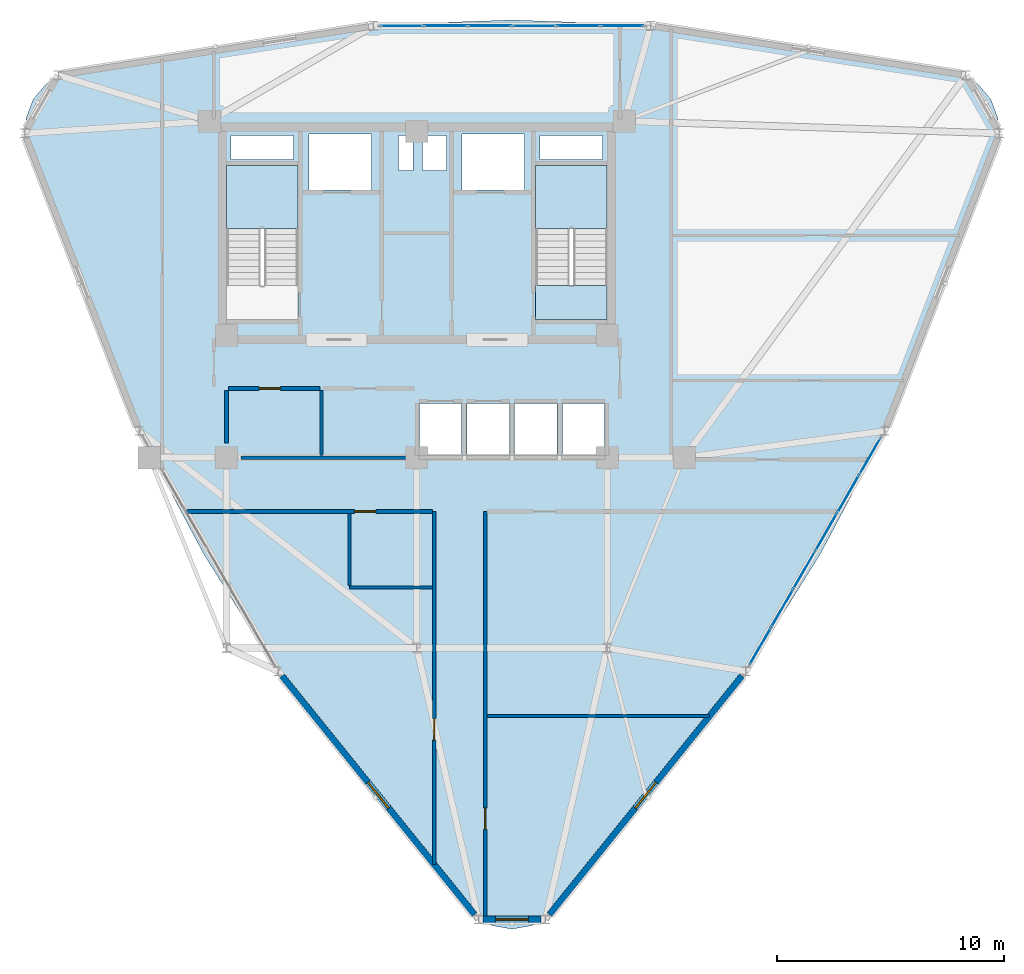
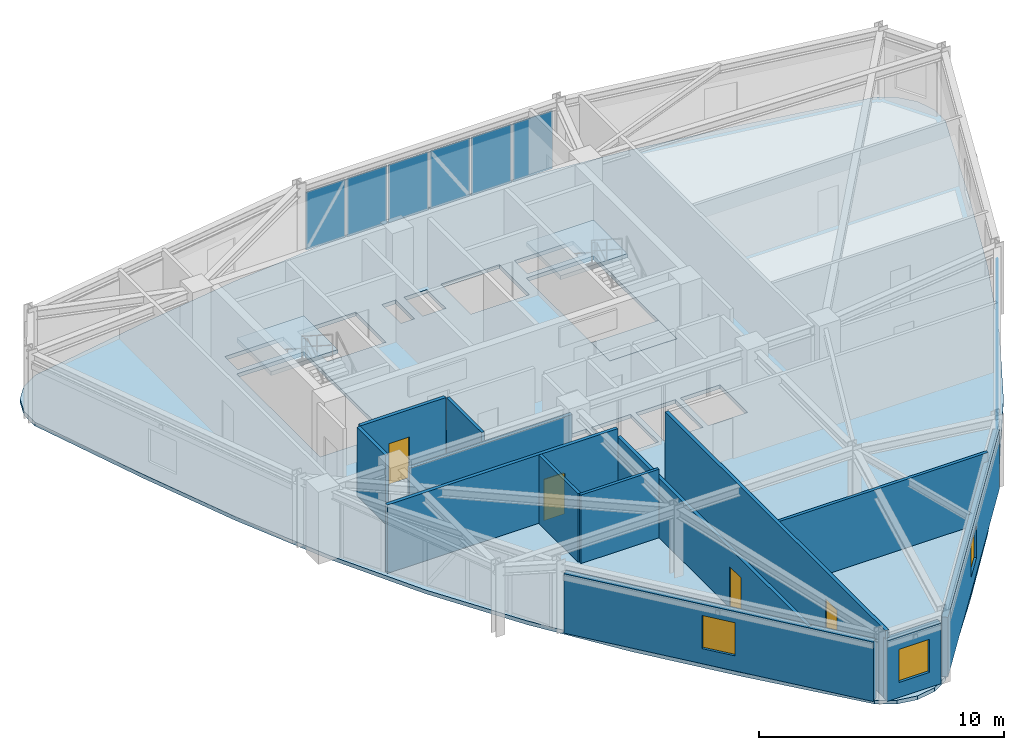
# One storey, part 12 of 16: 13 walls, 12 plates, 4 doors, 4 slabs, 3 windows, 7 openings, 4 elements without a shape of their own.
"""IFC4 building model written with IfcOpenShell, lengths in metres."""

import ifcopenshell
import ifcopenshell.guid

model = None  # the IFC model being written
_history = None  # IfcOwnerHistory: only IFC2X3 demands one
_inside = {}  # id of a spatial element -> (the spatial element, [elements in it])
_under = {}  # id of a project, library or spatial element -> (it, [spatial elements below it])
_declared = {}  # id of a project -> (the project, [libraries it declares])
_typed = {}  # id of a type object -> (the type object, [elements of that type])
_made_of = {}  # id of a material, layer set ... -> (it, [elements and type objects made of it])


def new_model(schema):
    """Start an empty IFC model of exactly this schema.

    Asked for "IFC4X3", IfcOpenShell would pick the latest addendum, in which some entities
    have other attributes; the version numbers below select the first issue.
    IFC2X3 requires an IfcOwnerHistory on every rooted entity: one is made here for all.
    """
    global model, _history
    if schema == "IFC4X3":
        model = ifcopenshell.file(schema_version=(4, 3, 0, 0))
    else:
        model = ifcopenshell.file(schema=schema)
    _inside.clear()
    _under.clear()
    _declared.clear()
    _typed.clear()
    _made_of.clear()
    _history = None
    if model.schema == "IFC2X3":
        org = make("IfcOrganization", Name="unknown")
        user = make(
            "IfcPersonAndOrganization",
            ThePerson=make("IfcPerson", FamilyName="unknown"),
            TheOrganization=org,
        )
        app = make(
            "IfcApplication",
            ApplicationDeveloper=org,
            Version="unknown",
            ApplicationFullName="unknown",
            ApplicationIdentifier="unknown",
        )
        _history = make(
            "IfcOwnerHistory",
            OwningUser=user,
            OwningApplication=app,
            ChangeAction="ADDED",
            CreationDate=0,
        )
    return model


def make(cls, **values):
    """One entity of the class cls with the attributes given. An attribute that is None is left unset."""
    return model.create_entity(
        cls, **{name: value for name, value in values.items() if value is not None}
    )


def rooted(cls, **values):
    """An entity with a GlobalId (a new one), such as an element, a storey or a relation."""
    return make(cls, GlobalId=ifcopenshell.guid.new(), OwnerHistory=_history, **values)


def si_unit(unit_type, name, prefix=None):
    """IfcSIUnit, for example si_unit("LENGTHUNIT", "METRE", prefix="MILLI")."""
    return make("IfcSIUnit", UnitType=unit_type, Prefix=prefix, Name=name)


def derived_unit(unit_type, elements):
    """IfcDerivedUnit: a product of units, each with its exponent."""
    return make(
        "IfcDerivedUnit",
        Elements=[
            make("IfcDerivedUnitElement", Unit=unit, Exponent=power)
            for unit, power in elements
        ],
        UnitType=unit_type,
    )


def assignment(units):
    """IfcUnitAssignment: the units of a project."""
    return None if units is None else make("IfcUnitAssignment", Units=units)


def point(xyz):
    """IfcCartesianPoint."""
    return None if xyz is None else make("IfcCartesianPoint", Coordinates=xyz)


def direction(xyz):
    """IfcDirection."""
    return None if xyz is None else make("IfcDirection", DirectionRatios=xyz)


def frame(location, z_axis=None, x_axis=None):
    """IfcAxis2Placement3D, a coordinate frame: its origin and axes. An axis left out is left unset."""
    return make(
        "IfcAxis2Placement3D",
        Location=point(location),
        Axis=direction(z_axis),
        RefDirection=direction(x_axis),
    )


def frame_2d(location, x_axis=None):
    """IfcAxis2Placement2D, a coordinate frame in the plane: its origin and x axis."""
    return make(
        "IfcAxis2Placement2D", Location=point(location), RefDirection=direction(x_axis)
    )


def origin():
    """The frame at (0, 0, 0) with its axes left unset."""
    return frame((0.0, 0.0, 0.0))


def origin_2d():
    """The frame at (0, 0) in the plane with its x axis left unset."""
    return frame_2d((0.0, 0.0))


def place(relative_to, where):
    """IfcLocalPlacement: puts the frame where relative to a parent placement (None: the world)."""
    return make(
        "IfcLocalPlacement", PlacementRelTo=relative_to, RelativePlacement=where
    )


def context(
    kind, dimensions, precision=None, world=None, true_north=None, identifier=None
):
    """IfcGeometricRepresentationContext, for example the 3D "Model" context."""
    return make(
        "IfcGeometricRepresentationContext",
        ContextIdentifier=identifier,
        ContextType=kind,
        CoordinateSpaceDimension=dimensions,
        Precision=precision,
        WorldCoordinateSystem=world,
        TrueNorth=true_north,
    )


def subcontext(parent, identifier, kind, view, scale=None):
    """IfcGeometricRepresentationSubContext, for example "Body" below "Model"."""
    return make(
        "IfcGeometricRepresentationSubContext",
        ContextIdentifier=identifier,
        ContextType=kind,
        ParentContext=parent,
        TargetScale=scale,
        TargetView=view,
    )


def project(units=None, contexts=None):
    """IfcProject with its units and contexts."""
    return rooted(
        "IfcProject",
        Name="project",
        RepresentationContexts=contexts,
        UnitsInContext=assignment(units),
    )


def spatial(cls, under=None, at=None, **own):
    """A site, building, storey or space (cls), placed at a placement, below another one or the project."""
    s = rooted(cls, ObjectPlacement=at, **own)
    if under is not None:
        _under.setdefault(under.id(), (under, []))[1].append(s)
    return s


def polyline(points):
    """IfcPolyline through the points."""
    return make("IfcPolyline", Points=[point(p) for p in points])


def profile(cls, at=None, kind="AREA", **sizes):
    """A parametric profile (cls). Its sizes go by their IFC names, for example OverallWidth=200.0."""
    return make(cls, ProfileType=kind, Position=at, **sizes)


def rectangle(**sizes):
    """IfcRectangleProfileDef."""
    return profile("IfcRectangleProfileDef", **sizes)


def outline(outer, holes=None, kind="AREA"):
    """IfcArbitraryClosedProfileDef: a profile drawn as a closed curve; with holes, ...WithVoids."""
    if holes is None:
        return make("IfcArbitraryClosedProfileDef", ProfileType=kind, OuterCurve=outer)
    return make(
        "IfcArbitraryProfileDefWithVoids",
        ProfileType=kind,
        OuterCurve=outer,
        InnerCurves=holes,
    )


def extrude(swept, where, along, depth):
    """IfcExtrudedAreaSolid: the profile swept, set in the frame where, extruded along a direction by depth."""
    return make(
        "IfcExtrudedAreaSolid",
        SweptArea=swept,
        Position=where,
        ExtrudedDirection=direction(along),
        Depth=depth,
    )


def shape(context_of_items, identifier, shape_type, items):
    """IfcShapeRepresentation: the items that make up one representation, for example the "Body"."""
    return make(
        "IfcShapeRepresentation",
        ContextOfItems=context_of_items,
        RepresentationIdentifier=identifier,
        RepresentationType=shape_type,
        Items=items,
    )


def source(mapping_origin, context_of_items, identifier, shape_type, items):
    """IfcRepresentationMap: a shape defined once, which mapped items show again and again."""
    return make(
        "IfcRepresentationMap",
        MappingOrigin=mapping_origin,
        MappedRepresentation=shape(context_of_items, identifier, shape_type, items),
    )


def transform(
    local_origin,
    x_axis=None,
    y_axis=None,
    z_axis=None,
    scale=None,
    scale2=None,
    scale3=None,
    uniform=True,
):
    """IfcCartesianTransformationOperator3D, or its non-uniform kind. x_axis, y_axis, z_axis: its Axis1, 2, 3."""
    if uniform:
        return make(
            "IfcCartesianTransformationOperator3D",
            Axis1=direction(x_axis),
            Axis2=direction(y_axis),
            LocalOrigin=point(local_origin),
            Scale=scale,
            Axis3=direction(z_axis),
        )
    return make(
        "IfcCartesianTransformationOperator3DnonUniform",
        Axis1=direction(x_axis),
        Axis2=direction(y_axis),
        LocalOrigin=point(local_origin),
        Scale=scale,
        Axis3=direction(z_axis),
        Scale2=scale2,
        Scale3=scale3,
    )


def mapped(mapping_source, mapping_target):
    """IfcMappedItem: shows the shape of a source again, moved by a transform."""
    return make(
        "IfcMappedItem", MappingSource=mapping_source, MappingTarget=mapping_target
    )


def material(Name=None, Category=None):
    """IfcMaterial."""
    return make("IfcMaterial", Name=Name, Category=Category)


def layer(
    of_material, thickness, ventilated=None, Name=None, Category=None, Priority=None
):
    """IfcMaterialLayer: one layer of a wall or slab, of a material (None: an air gap)."""
    return make(
        "IfcMaterialLayer",
        Material=of_material,
        LayerThickness=thickness,
        IsVentilated=ventilated,
        Name=Name,
        Category=Category,
        Priority=Priority,
    )


def layer_set(layers, Name=None):
    """IfcMaterialLayerSet."""
    return make("IfcMaterialLayerSet", MaterialLayers=layers, LayerSetName=Name)


def made_of(thing, what):
    """Note that an element or type object is made of a material, layer set ...; save() writes the relation."""
    if what is not None:
        _made_of.setdefault(what.id(), (what, []))[1].append(thing)
    return thing


def type_object(cls, material=None, **own):
    """A type object (cls), such as IfcWallType, which elements share."""
    return made_of(rooted(cls, **own), material)


def element(
    cls,
    number,
    at=None,
    inside=None,
    cuts=None,
    type_object=None,
    material=None,
    context=None,
    identifier="Body",
    shape_type=None,
    held_by="IfcProductDefinitionShape",
    body=None,
    shapes=None,
    **own,
):
    """One element of the class cls, such as IfcWall. Its Tag is "e" and its number.

    at: its placement. inside: the storey or other place that contains it. cuts: it is an
    opening in that element (IfcRelVoidsElement). A single representation is given by context,
    identifier, shape_type and body (its items); several are given by shapes. held_by: the class
    of the entity that holds the representations. save() writes the other relations.
    """
    e = rooted(cls, Tag="e%d" % number, ObjectPlacement=at, **own)
    if body is not None:
        shapes = [shape(context, identifier, shape_type, body)]
    if shapes is not None:
        e.Representation = make(held_by, Representations=shapes)
    if inside is not None:
        _inside.setdefault(inside.id(), (inside, []))[1].append(e)
    if cuts is not None:
        rooted(
            "IfcRelVoidsElement", RelatingBuildingElement=cuts, RelatedOpeningElement=e
        )
    if type_object is not None:
        _typed.setdefault(type_object.id(), (type_object, []))[1].append(e)
    return made_of(e, material)


def fill(opening, filler):
    """IfcRelFillsElement: the door or window that sits in an opening."""
    return rooted(
        "IfcRelFillsElement",
        RelatingOpeningElement=opening,
        RelatedBuildingElement=filler,
    )


def aggregate(whole, parts):
    """IfcRelAggregates: a whole, such as a stair, and the parts it consists of."""
    return rooted("IfcRelAggregates", RelatingObject=whole, RelatedObjects=parts)


def save(model, path):
    """Write the relations noted so far, then the file.

    IfcRelAggregates (storeys below a building ...), IfcRelContainedInSpatialStructure (elements
    in a storey), IfcRelDefinesByType, IfcRelAssociatesMaterial and IfcRelDeclares: one each for
    every whole, place, type object, material and project.
    """
    for whole, parts in _under.values():
        aggregate(whole, parts)
    for where, things in _inside.values():
        rooted(
            "IfcRelContainedInSpatialStructure",
            RelatedElements=things,
            RelatingStructure=where,
        )
    for kind, things in _typed.values():
        rooted("IfcRelDefinesByType", RelatedObjects=things, RelatingType=kind)
    for what, things in _made_of.values():
        rooted("IfcRelAssociatesMaterial", RelatedObjects=things, RelatingMaterial=what)
    for by, libraries in _declared.values():
        rooted("IfcRelDeclares", RelatingContext=by, RelatedDefinitions=libraries)
    model.write(path)


model = new_model("IFC4")

# Units and contexts
model_context = context("Model", 3, precision=1e-05, world=origin(), true_north=direction((0.0, 1.0)))
body_context = subcontext(model_context, "Body", "Model", "MODEL_VIEW")
ifc_project = project(units=[si_unit("LENGTHUNIT", "METRE"), si_unit("AREAUNIT", "SQUARE_METRE"), si_unit("VOLUMEUNIT", "CUBIC_METRE"), si_unit("PLANEANGLEUNIT", "RADIAN"), si_unit("MASSUNIT", "GRAM", prefix="KILO"), derived_unit("THERMALTRANSMITTANCEUNIT", [(si_unit("POWERUNIT", "WATT"), 1), (si_unit("LENGTHUNIT", "METRE"), -2), (si_unit("THERMODYNAMICTEMPERATUREUNIT", "KELVIN"), -1)])], contexts=[model_context])

# Site, building, storey
site_placement = place(None, origin())
site = spatial("IfcSite", under=ifc_project, at=site_placement, CompositionType="ELEMENT")
building_placement = place(site_placement, origin())
building = spatial("IfcBuilding", under=site, at=building_placement, Name="Korsvarv Bourse and Concert Hall", CompositionType="ELEMENT")
storey_placement = place(building_placement, frame((0.0, 0.0, 216.60009765625)))
storey = spatial("IfcBuildingStorey", under=building, at=storey_placement, Name="L56", CompositionType="ELEMENT", Elevation=216.60009765625)

# Slab
ifc_material_1 = material(Name="Precast concrete C45/55", Category="concrete")
ifc_layer_1 = layer(ifc_material_1, 0.199951171875)
ifc_layer_set_1 = layer_set([ifc_layer_1], Name="Precast concrete C45/55")
slab_type_1 = type_object("IfcSlabType", Name="SLB-FLND-T", PredefinedType="LANDING", material=ifc_layer_set_1)
slab_1_placement = place(storey_placement, frame((0.0, 0.0, -0.2001953125)))
element("IfcSlab", 1, at=slab_1_placement, inside=storey, type_object=slab_type_1, Name="L56 Stair ST-T2 Floor Landing Slab", PredefinedType="LANDING", context=body_context, shape_type="SweptSolid", body=[
    extrude(outline(polyline([(44.39990234375, 38.5), (44.39990234375, 40.0), (41.239990234375, 40.0), (41.239990234375, 38.5), (44.39990234375, 38.5)])), origin(), (0.0, 0.0, 1.0), 0.2001953125),
])

# Stair, slab
stair_type = type_object("IfcStairType", Name="STR-TYPE-04", PredefinedType="HALF_TURN_STAIR", material=ifc_material_1)
stair_1_placement = place(storey_placement, origin())
stair_1 = element("IfcStair", 2, at=stair_1_placement, inside=storey, type_object=stair_type, Name="L56 Tower West Exit Stair ST-T1", PredefinedType="HALF_TURN_STAIR")
ifc_layer_2 = layer(ifc_material_1, 0.199951171875)
ifc_layer_set_2 = layer_set([ifc_layer_2], Name="Precast concrete C45/55")
slab_type_2 = type_object("IfcSlabType", Name="SLB-ST-LND", PredefinedType="LANDING", material=ifc_layer_set_2)
slab_2_placement = place(storey_placement, frame((0.0, 0.0, 1.599853515625)))
slab_2 = element("IfcSlab", 3, at=slab_2_placement, type_object=slab_type_2, Name="ST-T1 landing 1", PredefinedType="LANDING", context=body_context, shape_type="SweptSolid", body=[
    extrude(outline(polyline([(30.760009765625, 42.52001953125), (30.760009765625, 45.300048828125), (27.60009765625, 45.300048828125), (27.60009765625, 42.52001953125), (30.760009765625, 42.52001953125)])), origin(), (0.0, 0.0, 1.0), 0.199951171875),
])
aggregate(stair_1, [slab_2])

stair_2_placement = place(storey_placement, origin())
stair_2 = element("IfcStair", 4, at=stair_2_placement, inside=storey, type_object=stair_type, Name="L56 Tower East Exit Stair ST-T2", PredefinedType="HALF_TURN_STAIR")
slab_3_placement = place(storey_placement, frame((0.0, 0.0, 1.599853515625)))
slab_3 = element("IfcSlab", 5, at=slab_3_placement, type_object=slab_type_2, Name="ST-T2 landing 1", PredefinedType="LANDING", context=body_context, shape_type="SweptSolid", body=[
    extrude(outline(polyline([(44.39990234375, 42.52001953125), (44.39990234375, 45.300048828125), (41.239990234375, 45.300048828125), (41.239990234375, 42.52001953125), (44.39990234375, 42.52001953125)])), origin(), (0.0, 0.0, 1.0), 0.199951171875),
])
aggregate(stair_2, [slab_3])

# Slab
ifc_material_2 = material(Name="Concrete C45/55", Category="concrete")
ifc_layer_3 = layer(ifc_material_2, 0.18994140625)
ifc_layer_set_3 = layer_set([ifc_layer_3], Name="Concrete C45/55")
slab_type_3 = type_object("IfcSlabType", Name="SLB-TW3", PredefinedType="FLOOR", material=ifc_layer_set_3)
slab_4_placement = place(storey_placement, frame((0.0, 0.0, -0.190185546875)))
element("IfcSlab", 6, at=slab_4_placement, inside=storey, type_object=slab_type_3, Name="L56 tower structural floor slab", PredefinedType="FLOOR", context=body_context, shape_type="SweptSolid", body=[
    extrude(outline(polyline([(61.281982421875, 45.464111328125), (59.653564453125, 40.964111328125), (57.922119140625, 36.548095703125), (55.994384765625, 32.265380859375), (53.80615234375, 28.14453125), (51.33154296875, 24.188720703125), (48.58642578125, 20.3779296875), (45.627685546875, 16.670654296875), (42.544677734375, 13.010498046875), (42.543701171875, 13.009033203125), (41.865478515625, 12.200927734375), (41.086181640625, 11.7509765625), (40.199951171875, 11.5947265625), (39.313720703125, 11.7509765625), (38.534423828125, 12.200927734375), (37.856201171875, 13.009033203125), (37.855224609375, 13.010498046875), (34.772216796875, 16.670654296875), (31.813720703125, 20.3779296875), (29.068603515625, 24.188720703125), (26.593994140625, 28.14453125), (24.405517578125, 32.265380859375), (22.477783203125, 36.548095703125), (20.74658203125, 40.964111328125), (19.1181640625, 45.464111328125), (19.117431640625, 45.4658203125), (18.756591796875, 46.457275390625), (18.756591796875, 47.35693359375), (19.064453125, 48.20263671875), (19.642822265625, 48.89208984375), (20.422119140625, 49.341796875), (21.461181640625, 49.525146484375), (21.462646484375, 49.525390625), (26.17431640625, 50.365234375), (30.8642578125, 51.073974609375), (35.537109375, 51.545654296875), (40.199951171875, 51.7109375), (44.863037109375, 51.545654296875), (49.535888671875, 51.073974609375), (54.2255859375, 50.365234375), (58.937255859375, 49.525390625), (58.93896484375, 49.525146484375), (59.977783203125, 49.341796875), (60.757080078125, 48.89208984375), (61.33544921875, 48.20263671875), (61.643310546875, 47.35693359375), (61.643310546875, 46.457275390625), (61.282470703125, 45.4658203125), (61.281982421875, 45.464111328125)]), holes=[polyline([(30.760009765625, 38.5), (30.760009765625, 45.300048828125), (27.60009765625, 45.300048828125), (27.60009765625, 38.5), (30.760009765625, 38.5)]), polyline([(44.39990234375, 38.5), (44.39990234375, 45.300048828125), (41.239990234375, 45.300048828125), (41.239990234375, 38.5), (44.39990234375, 38.5)]), polyline([(31.239990234375, 44.219970703125), (34.0, 44.219970703125), (34.0, 46.679931640625), (31.239990234375, 46.679931640625), (31.239990234375, 44.219970703125)]), polyline([(38.0, 44.219970703125), (40.760009765625, 44.219970703125), (40.760009765625, 46.679931640625), (38.0, 46.679931640625), (38.0, 44.219970703125)]), polyline([(36.1201171875, 32.52001953125), (37.97998046875, 32.52001953125), (37.97998046875, 34.780029296875), (36.1201171875, 34.780029296875), (36.1201171875, 32.52001953125)]), polyline([(38.219970703125, 32.52001953125), (40.080078125, 32.52001953125), (40.080078125, 34.780029296875), (38.219970703125, 34.780029296875), (38.219970703125, 32.52001953125)]), polyline([(40.320068359375, 32.52001953125), (42.179931640625, 32.52001953125), (42.179931640625, 34.780029296875), (40.320068359375, 34.780029296875), (40.320068359375, 32.52001953125)]), polyline([(42.419921875, 32.52001953125), (44.280029296875, 32.52001953125), (44.280029296875, 34.780029296875), (42.419921875, 34.780029296875), (42.419921875, 32.52001953125)]), polyline([(27.800048828125, 45.56005859375), (30.56005859375, 45.56005859375), (30.56005859375, 46.6201171875), (27.800048828125, 46.6201171875), (27.800048828125, 45.56005859375)]), polyline([(41.43994140625, 45.56005859375), (44.199951171875, 45.56005859375), (44.199951171875, 46.6201171875), (41.43994140625, 46.6201171875), (41.43994140625, 45.56005859375)]), polyline([(35.199951171875, 45.080078125), (35.840087890625, 45.080078125), (35.840087890625, 46.6201171875), (35.199951171875, 46.6201171875), (35.199951171875, 45.080078125)]), polyline([(36.239990234375, 45.080078125), (37.320068359375, 45.080078125), (37.320068359375, 46.6201171875), (36.239990234375, 46.6201171875), (36.239990234375, 45.080078125)])]), origin(), (0.0, 0.0, 1.0), 0.190185546875),
])

# Curtain wall, plates
ifc_material_3 = material(Name="Anodised aluminium and triple low-E glazing", Category="glass")
ifc_layer_4 = layer(ifc_material_3, 0.199951171875)
ifc_layer_set_4 = layer_set([ifc_layer_4], Name="Anodised aluminium and triple low-E glazing")
curtain_wall_type = type_object("IfcCurtainWallType", Name="CW-SYS-3", PredefinedType="NOTDEFINED", material=ifc_layer_set_4)
curtain_wall_1_placement = place(storey_placement, origin())
curtain_wall_1 = element("IfcCurtainWall", 7, at=curtain_wall_1_placement, inside=storey, type_object=curtain_wall_type, Name="L56 CW3 curtain wall CW-L56-F03", PredefinedType="NOTDEFINED")
ifc_material_4 = material(Name="Tempered triple insulated low-E architectural glass", Category="glass")
ifc_layer_5 = layer(ifc_material_4, 0.0380859375)
ifc_layer_set_5 = layer_set([ifc_layer_5], Name="Tempered triple insulated low-E architectural glass")
plate_type_1 = type_object("IfcPlateType", Name="CWP-VIS2", PredefinedType="CURTAIN_PANEL", material=ifc_layer_set_5)
shared_shape_1 = source(origin(), body_context, "Body", "SweptSolid", [
    extrude(rectangle(XDim=1.850341796875, YDim=0.0380859375, at=origin_2d()), origin(), (0.0, 0.0, 1.0), 2.889892578125),
])
plate_1_placement = place(storey_placement, frame((45.07080078125, 51.449951171875, 0.06494140625), z_axis=(0.0, 0.0, 1.0), x_axis=(-1.0, 0.0, 0.0)))
plate_1 = element("IfcPlate", 8, at=plate_1_placement, type_object=plate_type_1, Name="CW3 faceted panel 1.1", PredefinedType="CURTAIN_PANEL", context=body_context, shape_type="MappedRepresentation", body=[
    mapped(shared_shape_1, transform((0.0, 0.0, 0.0), scale=1.0)),
])
shared_shape_2 = source(origin(), body_context, "Body", "SweptSolid", [
    extrude(rectangle(XDim=1.88525390625, YDim=0.0380859375, at=origin_2d()), origin(), (0.0, 0.0, 1.0), 2.889892578125),
])
plate_2_placement = place(storey_placement, frame((43.133056640625, 51.449951171875, 0.06494140625), z_axis=(0.0, 0.0, 1.0), x_axis=(-1.0, 0.0, 0.0)))
plate_2 = element("IfcPlate", 9, at=plate_2_placement, type_object=plate_type_1, Name="CW3 faceted panel 2.1", PredefinedType="CURTAIN_PANEL", context=body_context, shape_type="MappedRepresentation", body=[
    mapped(shared_shape_2, transform((0.0, 0.0, 0.0), scale=1.0)),
])
plate_3_placement = place(storey_placement, frame((39.222412109375, 51.449951171875, 0.06494140625), z_axis=(0.0, 0.0, 1.0), x_axis=(-1.0, 0.0, 0.0)))
plate_3 = element("IfcPlate", 10, at=plate_3_placement, type_object=plate_type_1, Name="CW3 faceted panel 4.1", PredefinedType="CURTAIN_PANEL", context=body_context, shape_type="MappedRepresentation", body=[
    mapped(shared_shape_2, transform((0.0, 0.0, 0.0), scale=1.0)),
])
plate_4_placement = place(storey_placement, frame((37.26708984375, 51.449951171875, 0.06494140625), z_axis=(0.0, 0.0, 1.0), x_axis=(-1.0, 0.0, 0.0)))
plate_4 = element("IfcPlate", 11, at=plate_4_placement, type_object=plate_type_1, Name="CW3 faceted panel 5.1", PredefinedType="CURTAIN_PANEL", context=body_context, shape_type="MappedRepresentation", body=[
    mapped(shared_shape_2, transform((0.0, 0.0, 0.0), scale=1.0)),
])
ifc_material_5 = material(Name="Insulated spandrel glass", Category="glass")
ifc_layer_6 = layer(ifc_material_5, 0.031982421875)
ifc_layer_set_6 = layer_set([ifc_layer_6], Name="Insulated spandrel glass")
plate_type_2 = type_object("IfcPlateType", Name="CWP-SPD1", PredefinedType="CURTAIN_PANEL", material=ifc_layer_set_6)
shared_shape_3 = source(origin(), body_context, "Body", "SweptSolid", [
    extrude(rectangle(XDim=1.88525390625, YDim=0.031982421875, at=origin_2d()), origin(), (0.0, 0.0, 1.0), 2.889892578125),
])
plate_5_placement = place(storey_placement, frame((41.177734375, 51.449951171875, 0.06494140625), z_axis=(0.0, 0.0, 1.0), x_axis=(-1.0, 0.0, 0.0)))
plate_5 = element("IfcPlate", 12, at=plate_5_placement, type_object=plate_type_2, Name="CW3 spandrel shadow-box panel 3.1", PredefinedType="CURTAIN_PANEL", context=body_context, shape_type="MappedRepresentation", body=[
    mapped(shared_shape_3, transform((0.0, 0.0, 0.0), scale=1.0)),
])
shared_shape_4 = source(origin(), body_context, "Body", "SweptSolid", [
    extrude(rectangle(XDim=1.850341796875, YDim=0.031982421875, at=origin_2d()), origin(), (0.0, 0.0, 1.0), 2.889892578125),
])
plate_6_placement = place(storey_placement, frame((35.3291015625, 51.449951171875, 0.06494140625), z_axis=(0.0, 0.0, 1.0), x_axis=(-1.0, 0.0, 0.0)))
plate_6 = element("IfcPlate", 13, at=plate_6_placement, type_object=plate_type_2, Name="CW3 spandrel shadow-box panel 6.1", PredefinedType="CURTAIN_PANEL", context=body_context, shape_type="MappedRepresentation", body=[
    mapped(shared_shape_4, transform((0.0, 0.0, 0.0), scale=1.0)),
])
aggregate(curtain_wall_1, [plate_1, plate_2, plate_5, plate_3, plate_4, plate_6])

curtain_wall_2_placement = place(storey_placement, origin())
curtain_wall_2 = element("IfcCurtainWall", 14, at=curtain_wall_2_placement, inside=storey, type_object=curtain_wall_type, Name="L56 CW3 curtain wall CW-L56-F11", PredefinedType="NOTDEFINED")
shared_shape_5 = source(origin(), body_context, "Body", "SweptSolid", [
    extrude(rectangle(XDim=1.83544921875, YDim=0.0380859375, at=origin_2d()), origin(), (0.0, 0.0, 1.0), 2.889892578125),
])
plate_7_placement = place(storey_placement, frame((51.163330078125, 24.08935546875, 0.06494140625), z_axis=(0.0, 0.0, 1.0), x_axis=(0.499992358293, 0.866029815681, 0.0)))
plate_7 = element("IfcPlate", 15, at=plate_7_placement, type_object=plate_type_1, Name="CW3 faceted panel 1.1", PredefinedType="CURTAIN_PANEL", context=body_context, shape_type="MappedRepresentation", body=[
    mapped(shared_shape_5, transform((0.0, 0.0, 0.0), scale=1.0)),
])
shared_shape_6 = source(origin(), body_context, "Body", "SweptSolid", [
    extrude(rectangle(XDim=1.870361328125, YDim=0.0380859375, at=origin_2d()), origin(), (0.0, 0.0, 1.0), 2.889892578125),
])
plate_8_placement = place(storey_placement, frame((52.124755859375, 25.75439453125, 0.06494140625), z_axis=(0.0, 0.0, 1.0), x_axis=(0.499992358293, 0.866029815681, 0.0)))
plate_8 = element("IfcPlate", 16, at=plate_8_placement, type_object=plate_type_1, Name="CW3 faceted panel 2.1", PredefinedType="CURTAIN_PANEL", context=body_context, shape_type="MappedRepresentation", body=[
    mapped(shared_shape_6, transform((0.0, 0.0, 0.0), scale=1.0)),
])
plate_9_placement = place(storey_placement, frame((54.065185546875, 29.115234375, 0.06494140625), z_axis=(0.0, 0.0, 1.0), x_axis=(0.499992358293, 0.866029815681, 0.0)))
plate_9 = element("IfcPlate", 17, at=plate_9_placement, type_object=plate_type_1, Name="CW3 faceted panel 4.1", PredefinedType="CURTAIN_PANEL", context=body_context, shape_type="MappedRepresentation", body=[
    mapped(shared_shape_6, transform((0.0, 0.0, 0.0), scale=1.0)),
])
plate_10_placement = place(storey_placement, frame((55.03515625, 30.795654296875, 0.06494140625), z_axis=(0.0, 0.0, 1.0), x_axis=(0.499992358293, 0.866029815681, 0.0)))
plate_10 = element("IfcPlate", 18, at=plate_10_placement, type_object=plate_type_1, Name="CW3 faceted panel 5.1", PredefinedType="CURTAIN_PANEL", context=body_context, shape_type="MappedRepresentation", body=[
    mapped(shared_shape_6, transform((0.0, 0.0, 0.0), scale=1.0)),
])
shared_shape_7 = source(origin(), body_context, "Body", "SweptSolid", [
    extrude(rectangle(XDim=1.870361328125, YDim=0.031982421875, at=origin_2d()), origin(), (0.0, 0.0, 1.0), 2.889892578125),
])
plate_11_placement = place(storey_placement, frame((53.094970703125, 27.434814453125, 0.06494140625), z_axis=(0.0, 0.0, 1.0), x_axis=(0.499992358293, 0.866029815681, 0.0)))
plate_11 = element("IfcPlate", 19, at=plate_11_placement, type_object=plate_type_2, Name="CW3 spandrel shadow-box panel 3.1", PredefinedType="CURTAIN_PANEL", context=body_context, shape_type="MappedRepresentation", body=[
    mapped(shared_shape_7, transform((0.0, 0.0, 0.0), scale=1.0)),
])
shared_shape_8 = source(origin(), body_context, "Body", "SweptSolid", [
    extrude(rectangle(XDim=1.83544921875, YDim=0.031982421875, at=origin_2d()), origin(), (0.0, 0.0, 1.0), 2.889892578125),
])
plate_12_placement = place(storey_placement, frame((55.99658203125, 32.4609375, 0.06494140625), z_axis=(0.0, 0.0, 1.0), x_axis=(0.499992358293, 0.866029815681, 0.0)))
plate_12 = element("IfcPlate", 20, at=plate_12_placement, type_object=plate_type_2, Name="CW3 spandrel shadow-box panel 6.1", PredefinedType="CURTAIN_PANEL", context=body_context, shape_type="MappedRepresentation", body=[
    mapped(shared_shape_8, transform((0.0, 0.0, 0.0), scale=1.0)),
])
aggregate(curtain_wall_2, [plate_7, plate_8, plate_11, plate_9, plate_10, plate_12])

# Wall, opening, window
ifc_material_6 = material(Name="Precast concrete C45/55 with terracotta rainscreen", Category="concrete")
ifc_layer_7 = layer(ifc_material_6, 0.300048828125)
ifc_layer_set_7 = layer_set([ifc_layer_7], Name="Precast concrete C45/55 with terracotta rainscreen")
wall_type_1 = type_object("IfcWallType", Name="WL-EXT-TC1", PredefinedType="SOLIDWALL", material=ifc_layer_set_7)
wall_1_placement = place(storey_placement, frame((38.92822265625, 12.020263671875, 0.0), z_axis=(0.0, 0.0, 1.0), x_axis=(1.0, 0.0, 0.0)))
wall_1 = element("IfcWall", 21, at=wall_1_placement, inside=storey, type_object=wall_type_1, Name="L56 terracotta exterior wall EW-L56-B09", PredefinedType="SOLIDWALL", context=body_context, shape_type="SweptSolid", body=[
    extrude(rectangle(XDim=2.54345703125, YDim=0.300048828125, at=frame_2d((1.271728515625, 0.0))), origin(), (0.0, 0.0, 1.0), 3.02001953125),
])
opening_1_placement = place(wall_1_placement, frame((0.546875, 0.0, 0.75)))
opening_1 = element("IfcOpeningElement", 22, at=opening_1_placement, cuts=wall_1, Name="Opening W-02", PredefinedType="OPENING", context=body_context, shape_type="SweptSolid", body=[
    extrude(rectangle(XDim=1.449951171875, YDim=1.64990234375, at=frame_2d((0.72509765625, 0.824951171875))), frame((0.0, 0.16015625, 0.0), z_axis=(0.0, -1.0, 0.0), x_axis=(1.0, 0.0, 0.0)), (0.0, 0.0, 1.0), 0.320068359375),
])
ifc_material_7 = material(Name="Thermally broken aluminium frame with triple low-E glass", Category="glass")
window_type = type_object("IfcWindowType", Name="WIN-TW2", PartitioningType="SINGLE_PANEL", PredefinedType="WINDOW", material=ifc_material_7)
window_1_placement = place(opening_1_placement, origin())
window_1 = element("IfcWindow", 23, at=window_1_placement, inside=storey, type_object=window_type, Name="L56 punched facade window W-02", OverallHeight=1.64990234375, OverallWidth=1.449951171875, PartitioningType="SINGLE_PANEL", PredefinedType="WINDOW", context=body_context, shape_type="SweptSolid", body=[
    extrude(rectangle(XDim=1.449951171875, YDim=1.64990234375, at=frame_2d((0.72509765625, 0.824951171875))), frame((0.0, 0.030029296875, 0.0), z_axis=(0.0, -1.0, 0.0), x_axis=(1.0, 0.0, 0.0)), (0.0, 0.0, 1.0), 0.06005859375),
])
fill(opening_1, window_1)

ifc_material_8 = material(Name="Precast concrete C45/55 with fluted terracotta pier", Category="concrete")
ifc_layer_8 = layer(ifc_material_8, 0.280029296875)
ifc_layer_set_8 = layer_set([ifc_layer_8], Name="Precast concrete C45/55 with fluted terracotta pier")
wall_type_2 = type_object("IfcWallType", Name="WL-EXT-TC2", PredefinedType="SOLIDWALL", material=ifc_layer_set_8)
wall_2_placement = place(storey_placement, frame((30.05126953125, 22.762939453125, 0.0), z_axis=(0.0, 0.0, 1.0), x_axis=(0.627990128971, -0.778221303946, 0.0)))
wall_2 = element("IfcWall", 24, at=wall_2_placement, inside=storey, type_object=wall_type_2, Name="L56 terracotta exterior wall EW-L56-B08", PredefinedType="SOLIDWALL", context=body_context, shape_type="SweptSolid", body=[
    extrude(rectangle(XDim=13.530517578125, YDim=0.280029296875, at=frame_2d((6.76513671875, 0.0))), origin(), (0.0, 0.0, 1.0), 2.9599609375),
])
opening_2_placement = place(wall_2_placement, frame((6.040283203125, 0.0, 0.75)))
opening_2 = element("IfcOpeningElement", 25, at=opening_2_placement, cuts=wall_2, Name="Opening W-02", PredefinedType="OPENING", context=body_context, shape_type="SweptSolid", body=[
    extrude(rectangle(XDim=1.449951171875, YDim=1.64990234375, at=frame_2d((0.72509765625, 0.824951171875))), frame((0.0, 0.14990234375, 0.0), z_axis=(0.0, -1.0, 0.0), x_axis=(1.0, 0.0, 0.0)), (0.0, 0.0, 1.0), 0.300048828125),
])
window_2_placement = place(opening_2_placement, origin())
window_2 = element("IfcWindow", 26, at=window_2_placement, inside=storey, type_object=window_type, Name="L56 punched facade window W-02", OverallHeight=1.64990234375, OverallWidth=1.449951171875, PartitioningType="SINGLE_PANEL", PredefinedType="WINDOW", context=body_context, shape_type="SweptSolid", body=[
    extrude(rectangle(XDim=1.449951171875, YDim=1.64990234375, at=frame_2d((0.72509765625, 0.824951171875))), frame((0.0, 0.030029296875, 0.0), z_axis=(0.0, -1.0, 0.0), x_axis=(1.0, 0.0, 0.0)), (0.0, 0.0, 1.0), 0.06005859375),
])
fill(opening_2, window_2)

wall_3_placement = place(storey_placement, frame((41.851806640625, 12.233154296875, 0.0), z_axis=(0.0, 0.0, 1.0), x_axis=(0.627979201057, 0.778230122162, 0.0)))
wall_3 = element("IfcWall", 27, at=wall_3_placement, inside=storey, type_object=wall_type_2, Name="L56 terracotta exterior wall EW-L56-B10", PredefinedType="SOLIDWALL", context=body_context, shape_type="SweptSolid", body=[
    extrude(rectangle(XDim=13.530517578125, YDim=0.280029296875, at=frame_2d((6.76513671875, 0.0))), origin(), (0.0, 0.0, 1.0), 2.9599609375),
])
opening_3_placement = place(wall_3_placement, frame((6.040283203125, 0.0, 0.75)))
opening_3 = element("IfcOpeningElement", 28, at=opening_3_placement, cuts=wall_3, Name="Opening W-02", PredefinedType="OPENING", context=body_context, shape_type="SweptSolid", body=[
    extrude(rectangle(XDim=1.449951171875, YDim=1.64990234375, at=frame_2d((0.72509765625, 0.824951171875))), frame((0.0, 0.14990234375, 0.0), z_axis=(0.0, -1.0, 0.0), x_axis=(1.0, 0.0, 0.0)), (0.0, 0.0, 1.0), 0.300048828125),
])
window_3_placement = place(opening_3_placement, origin())
window_3 = element("IfcWindow", 29, at=window_3_placement, inside=storey, type_object=window_type, Name="L56 punched facade window W-02", OverallHeight=1.64990234375, OverallWidth=1.449951171875, PartitioningType="SINGLE_PANEL", PredefinedType="WINDOW", context=body_context, shape_type="SweptSolid", body=[
    extrude(rectangle(XDim=1.449951171875, YDim=1.64990234375, at=frame_2d((0.72509765625, 0.824951171875))), frame((0.0, 0.030029296875, 0.0), z_axis=(0.0, -1.0, 0.0), x_axis=(1.0, 0.0, 0.0)), (0.0, 0.0, 1.0), 0.06005859375),
])
fill(opening_3, window_3)

# Walls
ifc_material_9 = material(Name="Double-stud fire-rated acoustic partition", Category="gypsum")
ifc_layer_9 = layer(ifc_material_9, 0.159912109375)
ifc_layer_set_9 = layer_set([ifc_layer_9], Name="Double-stud fire-rated acoustic partition")
wall_type_3 = type_object("IfcWallType", Name="WL-INT-EI60", PredefinedType="PARTITIONING", material=ifc_layer_set_9)
wall_4_placement = place(storey_placement, frame((28.25, 32.39990234375, 0.0), z_axis=(0.0, 0.0, 1.0), x_axis=(1.0, 0.0, 0.0)))
element("IfcWall", 30, at=wall_4_placement, inside=storey, type_object=wall_type_3, Name="L56 interior partition wall W-L56-FRD-S", PredefinedType="PARTITIONING", context=body_context, shape_type="SweptSolid", body=[
    extrude(rectangle(XDim=7.64990234375, YDim=0.159912109375, at=frame_2d((3.824951171875, 0.0))), origin(), (0.0, 0.0, 1.0), 2.9599609375),
])
wall_5_placement = place(storey_placement, frame((27.60009765625, 33.050048828125, 0.0), z_axis=(0.0, 0.0, 1.0), x_axis=(0.0, 1.0, 0.0)))
element("IfcWall", 31, at=wall_5_placement, inside=storey, type_object=wall_type_3, Name="L56 interior partition wall W-L56-FRD-W", PredefinedType="PARTITIONING", context=body_context, shape_type="SweptSolid", body=[
    extrude(rectangle(XDim=2.31005859375, YDim=0.159912109375, at=frame_2d((1.155029296875, 0.0))), origin(), (0.0, 0.0, 1.0), 3.409912109375),
])

# Wall, opening, door
wall_6_placement = place(storey_placement, frame((27.68994140625, 35.449951171875, 0.0), z_axis=(0.0, 0.0, 1.0), x_axis=(1.0, 0.0, 0.0)))
wall_6 = element("IfcWall", 32, at=wall_6_placement, inside=storey, type_object=wall_type_3, Name="L56 interior partition wall W-L56-FRD-N1", PredefinedType="PARTITIONING", context=body_context, shape_type="SweptSolid", body=[
    extrude(rectangle(XDim=4.030029296875, YDim=0.159912109375, at=frame_2d((2.01513671875, 0.0))), origin(), (0.0, 0.0, 1.0), 3.409912109375),
])
opening_4_placement = place(wall_6_placement, frame((1.35009765625, 0.0, 0.0)))
opening_4 = element("IfcOpeningElement", 33, at=opening_4_placement, cuts=wall_6, Name="Opening D-03", PredefinedType="OPENING", context=body_context, shape_type="SweptSolid", body=[
    extrude(rectangle(XDim=0.949951171875, YDim=2.050048828125, at=frame_2d((0.47509765625, 1.02490234375))), frame((0.0, 0.08984375, 0.0), z_axis=(0.0, -1.0, 0.0), x_axis=(1.0, 0.0, 0.0)), (0.0, 0.0, 1.0), 0.179931640625),
])
ifc_material_10 = material(Name="Nordic oak acoustic office door", Category="wood")
door_type_1 = type_object("IfcDoorType", Name="DR-INT-1", OperationType="NOTDEFINED", PredefinedType="DOOR", material=ifc_material_10)
door_1_placement = place(opening_4_placement, origin())
door_1 = element("IfcDoor", 34, at=door_1_placement, inside=storey, type_object=door_type_1, Name="L56 interior door DR-L56-FRDN1", OperationType="SINGLE_SWING_LEFT", OverallHeight=2.050048828125, OverallWidth=0.949951171875, PredefinedType="DOOR", context=body_context, shape_type="SweptSolid", body=[
    extrude(rectangle(XDim=0.949951171875, YDim=2.050048828125, at=frame_2d((0.47509765625, 1.02490234375))), frame((0.0, 0.02490234375, 0.0), z_axis=(0.0, -1.0, 0.0), x_axis=(1.0, 0.0, 0.0)), (0.0, 0.0, 1.0), 0.050048828125),
])
fill(opening_4, door_1)

wall_7_placement = place(storey_placement, frame((39.02490234375, 12.040283203125, 0.0), z_axis=(0.0, 0.0, 1.0), x_axis=(0.0, 1.0, 0.0)))
wall_7 = element("IfcWall", 35, at=wall_7_placement, inside=storey, type_object=wall_type_3, Name="L56 interior partition wall W-L56-TCOR-03", PredefinedType="PARTITIONING", context=body_context, shape_type="SweptSolid", body=[
    extrude(rectangle(XDim=17.98974609375, YDim=0.159912109375, at=frame_2d((8.994873046875, 0.0))), origin(), (0.0, 0.0, 1.0), 3.409912109375),
])
opening_5_placement = place(wall_7_placement, frame((3.952880859375, 0.0, 0.0)))
opening_5 = element("IfcOpeningElement", 36, at=opening_5_placement, cuts=wall_7, Name="Opening D-02", PredefinedType="OPENING", context=body_context, shape_type="SweptSolid", body=[
    extrude(rectangle(XDim=0.949951171875, YDim=2.050048828125, at=frame_2d((0.47509765625, 1.02490234375))), frame((0.0, 0.08984375, 0.0), z_axis=(0.0, -1.0, 0.0), x_axis=(1.0, 0.0, 0.0)), (0.0, 0.0, 1.0), 0.179931640625),
])
ifc_material_11 = material(Name="Timber and steel acoustic fire door", Category="wood")
door_type_2 = type_object("IfcDoorType", Name="DR-FD30", OperationType="NOTDEFINED", PredefinedType="DOOR", material=ifc_material_11)
door_2_placement = place(opening_5_placement, origin())
door_2 = element("IfcDoor", 37, at=door_2_placement, inside=storey, type_object=door_type_2, Name="L56 interior door DR-L56-TCOR-EC44", OperationType="SINGLE_SWING_RIGHT", OverallHeight=2.050048828125, OverallWidth=0.949951171875, PredefinedType="DOOR", context=body_context, shape_type="SweptSolid", body=[
    extrude(rectangle(XDim=0.949951171875, YDim=2.050048828125, at=frame_2d((0.47509765625, 1.02490234375))), frame((0.0, 0.02490234375, 0.0), z_axis=(0.0, -1.0, 0.0), x_axis=(1.0, 0.0, 0.0)), (0.0, 0.0, 1.0), 0.050048828125),
])
fill(opening_5, door_2)

wall_8_placement = place(storey_placement, frame((36.77490234375, 14.45068359375, 0.0), z_axis=(0.0, 0.0, 1.0), x_axis=(0.0, 1.0, 0.0)))
wall_8 = element("IfcWall", 38, at=wall_8_placement, inside=storey, type_object=wall_type_3, Name="L56 interior partition wall W-L56-TCOR-04", PredefinedType="PARTITIONING", context=body_context, shape_type="SweptSolid", body=[
    extrude(rectangle(XDim=15.579345703125, YDim=0.159912109375, at=frame_2d((7.78955078125, 0.0))), origin(), (0.0, 0.0, 1.0), 2.9599609375),
])
opening_6_placement = place(wall_8_placement, frame((5.4794921875, 0.0, 0.0)))
opening_6 = element("IfcOpeningElement", 39, at=opening_6_placement, cuts=wall_8, Name="Opening D-02", PredefinedType="OPENING", context=body_context, shape_type="SweptSolid", body=[
    extrude(rectangle(XDim=0.949951171875, YDim=2.050048828125, at=frame_2d((0.47509765625, 1.02490234375))), frame((0.0, 0.08984375, 0.0), z_axis=(0.0, -1.0, 0.0), x_axis=(1.0, 0.0, 0.0)), (0.0, 0.0, 1.0), 0.179931640625),
])
door_3_placement = place(opening_6_placement, origin())
door_3 = element("IfcDoor", 40, at=door_3_placement, inside=storey, type_object=door_type_2, Name="L56 interior door DR-L56-TCOR-EC17", OperationType="SINGLE_SWING_LEFT", OverallHeight=2.050048828125, OverallWidth=0.949951171875, PredefinedType="DOOR", context=body_context, shape_type="SweptSolid", body=[
    extrude(rectangle(XDim=0.949951171875, YDim=2.050048828125, at=frame_2d((0.47509765625, 1.02490234375))), frame((0.0, 0.02490234375, 0.0), z_axis=(0.0, -1.0, 0.0), x_axis=(1.0, 0.0, 0.0)), (0.0, 0.0, 1.0), 0.050048828125),
])
fill(opening_6, door_3)

wall_9_placement = place(storey_placement, frame((25.82958984375, 30.02490234375, 0.0), z_axis=(0.0, 0.0, 1.0), x_axis=(1.0, 0.0, 0.0)))
wall_9 = element("IfcWall", 41, at=wall_9_placement, inside=storey, type_object=wall_type_3, Name="L56 interior partition wall W-L56-TCOR-06", PredefinedType="PARTITIONING", context=body_context, shape_type="SweptSolid", body=[
    extrude(rectangle(XDim=10.863525390625, YDim=0.159912109375, at=frame_2d((5.431640625, 0.0))), origin(), (0.0, 0.0, 1.0), 3.409912109375),
])
opening_7_placement = place(wall_9_placement, frame((7.410400390625, 0.0, 0.0)))
opening_7 = element("IfcOpeningElement", 42, at=opening_7_placement, cuts=wall_9, Name="Opening D-02", PredefinedType="OPENING", context=body_context, shape_type="SweptSolid", body=[
    extrude(rectangle(XDim=0.949951171875, YDim=2.050048828125, at=frame_2d((0.47509765625, 1.02490234375))), frame((0.0, 0.08984375, 0.0), z_axis=(0.0, -1.0, 0.0), x_axis=(1.0, 0.0, 0.0)), (0.0, 0.0, 1.0), 0.179931640625),
])
door_4_placement = place(opening_7_placement, origin())
door_4 = element("IfcDoor", 43, at=door_4_placement, inside=storey, type_object=door_type_2, Name="L56 interior door DR-L56-TCOR-RWC", OperationType="SINGLE_SWING_LEFT", OverallHeight=2.050048828125, OverallWidth=0.949951171875, PredefinedType="DOOR", context=body_context, shape_type="SweptSolid", body=[
    extrude(rectangle(XDim=0.949951171875, YDim=2.050048828125, at=frame_2d((0.47509765625, 1.02490234375))), frame((0.0, 0.02490234375, 0.0), z_axis=(0.0, -1.0, 0.0), x_axis=(1.0, 0.0, 0.0)), (0.0, 0.0, 1.0), 0.050048828125),
])
fill(opening_7, door_4)

# Walls
ifc_material_12 = material(Name="Insulated steel-stud office acoustic partition", Category="gypsum")
ifc_layer_10 = layer(ifc_material_12, 0.139892578125)
ifc_layer_set_10 = layer_set([ifc_layer_10], Name="Insulated steel-stud office acoustic partition")
wall_type_4 = type_object("IfcWallType", Name="WL-INT-P1", PredefinedType="PARTITIONING", material=ifc_layer_set_10)
wall_10_placement = place(storey_placement, frame((31.800048828125, 32.489990234375, 0.0), z_axis=(0.0, 0.0, 1.0), x_axis=(0.0, 1.0, 0.0)))
element("IfcWall", 44, at=wall_10_placement, inside=storey, type_object=wall_type_4, Name="L56 interior partition wall W-L56-FRD-V", PredefinedType="PARTITIONING", context=body_context, shape_type="SweptSolid", body=[
    extrude(rectangle(XDim=2.8701171875, YDim=0.139892578125, at=frame_2d((1.43505859375, 0.0))), origin(), (0.0, 0.0, 1.0), 3.409912109375),
])
wall_11_placement = place(storey_placement, frame((39.10693359375, 21.0048828125, 0.0), z_axis=(0.0, 0.0, 1.0), x_axis=(1.0, 0.0, 0.0)))
element("IfcWall", 45, at=wall_11_placement, inside=storey, type_object=wall_type_4, Name="L56 interior partition wall W-L56-TCOR-12", PredefinedType="PARTITIONING", context=body_context, shape_type="SweptSolid", body=[
    extrude(rectangle(XDim=9.80322265625, YDim=0.139892578125, at=frame_2d((4.901611328125, 0.0))), origin(), (0.0, 0.0, 1.0), 3.409912109375),
])
wall_12_placement = place(storey_placement, frame((33.02001953125, 26.675048828125, 0.0), z_axis=(0.0, 0.0, 1.0), x_axis=(1.0, 0.0, 0.0)))
element("IfcWall", 46, at=wall_12_placement, inside=storey, type_object=wall_type_4, Name="L56 interior partition wall W-L56-TCOR-13", PredefinedType="PARTITIONING", context=body_context, shape_type="SweptSolid", body=[
    extrude(rectangle(XDim=3.673095703125, YDim=0.139892578125, at=frame_2d((1.83642578125, 0.0))), origin(), (0.0, 0.0, 1.0), 3.409912109375),
])
wall_13_placement = place(storey_placement, frame((33.02490234375, 26.7470703125, 0.0), z_axis=(0.0, 0.0, 1.0), x_axis=(0.0, 1.0, 0.0)))
element("IfcWall", 47, at=wall_13_placement, inside=storey, type_object=wall_type_4, Name="L56 interior partition wall W-L56-TCOR-14", PredefinedType="PARTITIONING", context=body_context, shape_type="SweptSolid", body=[
    extrude(rectangle(XDim=3.196044921875, YDim=0.139892578125, at=frame_2d((1.59814453125, 0.0))), origin(), (0.0, 0.0, 1.0), 3.409912109375),
])

save(model, "model.ifc")
